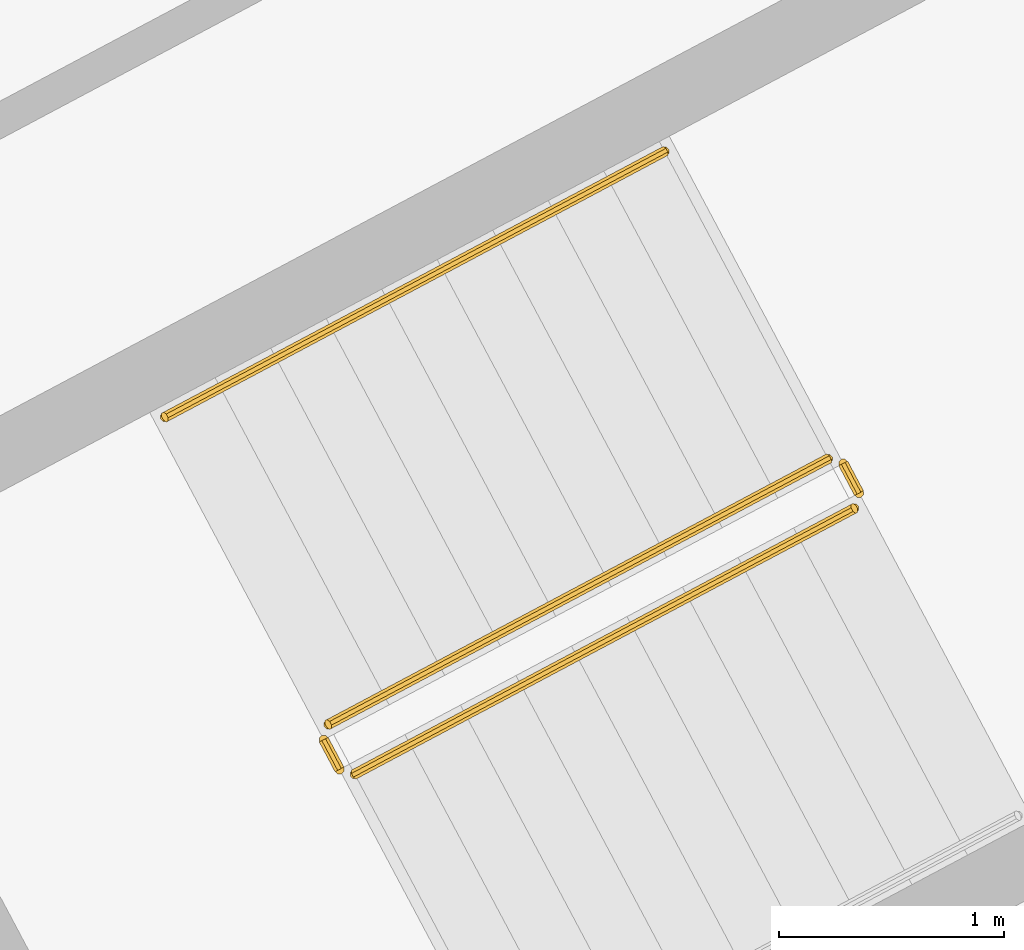
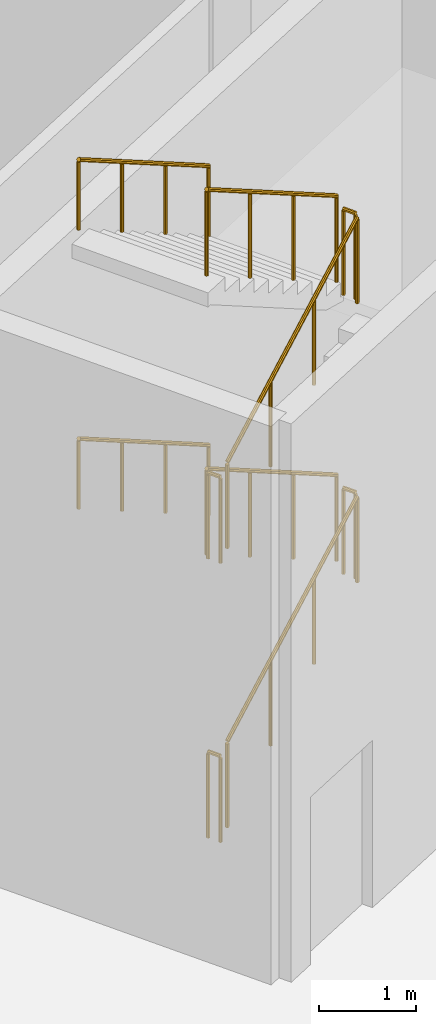
# One storey, part 55 of 57: 10 railings.
"""IFC4 building model written with IfcOpenShell, lengths in metres."""

from ifc_helpers import new_model, si_unit, direction, frame, origin, place, context, subcontext, project, spatial, polyline, outline, extrude, material, type_object, element, save


model = new_model("IFC4")

# Units and contexts
model_context = context("Model", 3, precision=1e-05, world=origin(), true_north=direction((0.0, 1.0)))
body_context = subcontext(model_context, "Body", "Model", "MODEL_VIEW")
ifc_project = project(units=[si_unit("LENGTHUNIT", "METRE"), si_unit("AREAUNIT", "SQUARE_METRE"), si_unit("VOLUMEUNIT", "CUBIC_METRE"), si_unit("PLANEANGLEUNIT", "RADIAN"), si_unit("MASSUNIT", "GRAM", prefix="KILO")], contexts=[model_context])

# Site, building, storey
site_placement = place(None, origin())
site = spatial("IfcSite", under=ifc_project, at=site_placement, CompositionType="ELEMENT")
building_placement = place(site_placement, origin())
building = spatial("IfcBuilding", under=site, at=building_placement, Name="Cormorant Relay Tower", CompositionType="ELEMENT")
storey_placement = place(building_placement, origin())
storey = spatial("IfcBuildingStorey", under=building, at=storey_placement, Name="L00", CompositionType="ELEMENT", Elevation=0.0)

# Railings
ifc_material_1 = material(Name="Steel ASTM A572 Grade 50 (Fy 345 MPa)", Category="steel")
railing_type_1 = type_object("IfcRailingType", Name="Stair guard 1100", PredefinedType="GUARDRAIL", material=ifc_material_1)
railing_1_placement = place(storey_placement, frame((44.583740234375, 32.186279296875, 0.175048828125)))
element("IfcRailing", 1, at=railing_1_placement, inside=storey, type_object=railing_type_1, Name="L00 RB1 stair guard 1", PredefinedType="GUARDRAIL", context=body_context, shape_type="SweptSolid", body=[
    extrude(outline(polyline([(0.022216796875, 0.00927734375), (0.00927734375, 0.022216796875), (-0.00927734375, 0.022216796875), (-0.022216796875, 0.00927734375), (-0.022216796875, -0.00927734375), (-0.00927734375, -0.022216796875), (0.00927734375, -0.022216796875), (0.022216796875, -0.00927734375), (0.022216796875, 0.00927734375)])), frame((0.0, 0.0, 1.076171875), z_axis=(0.74875116571, 0.398118076479, 0.529975177748), x_axis=(-0.4694715809, 0.882947583228, 0.0)), (0.0, 0.0, 1.0), 2.9716796875),
    extrude(outline(polyline([(0.019287109375, 0.008056640625), (0.008056640625, 0.019287109375), (-0.008056640625, 0.019287109375), (-0.019287109375, 0.008056640625), (-0.019287109375, -0.008056640625), (-0.008056640625, -0.019287109375), (0.008056640625, -0.019287109375), (0.019287109375, -0.008056640625), (0.019287109375, 0.008056640625)])), origin(), (0.0, 0.0, 1.0), 1.052001953125),
    extrude(outline(polyline([(0.019287109375, 0.008056640625), (0.008056640625, 0.019287109375), (-0.008056640625, 0.019287109375), (-0.019287109375, 0.008056640625), (-0.019287109375, -0.008056640625), (-0.008056640625, -0.019287109375), (0.008056640625, -0.019287109375), (0.019287109375, -0.008056640625), (0.019287109375, 0.008056640625)])), frame((0.74169921875, 0.394287109375, 0.52490234375)), (0.0, 0.0, 1.0), 1.052001953125),
    extrude(outline(polyline([(0.019287109375, 0.008056640625), (0.008056640625, 0.019287109375), (-0.008056640625, 0.019287109375), (-0.019287109375, 0.008056640625), (-0.019287109375, -0.008056640625), (-0.008056640625, -0.019287109375), (0.008056640625, -0.019287109375), (0.019287109375, -0.008056640625), (0.019287109375, 0.008056640625)])), frame((1.4833984375, 0.788818359375, 1.050048828125)), (0.0, 0.0, 1.0), 1.052001953125),
    extrude(outline(polyline([(0.019287109375, 0.008056640625), (0.008056640625, 0.019287109375), (-0.008056640625, 0.019287109375), (-0.019287109375, 0.008056640625), (-0.019287109375, -0.008056640625), (-0.008056640625, -0.019287109375), (0.008056640625, -0.019287109375), (0.019287109375, -0.008056640625), (0.019287109375, 0.008056640625)])), frame((2.22509765625, 1.18310546875, 1.574951171875)), (0.0, 0.0, 1.0), 1.052001953125),
])
railing_2_placement = place(storey_placement, frame((46.829345703125, 33.43701171875, 1.75)))
element("IfcRailing", 2, at=railing_2_placement, inside=storey, type_object=railing_type_1, Name="L00 RB1 stair guard 2", PredefinedType="GUARDRAIL", context=body_context, shape_type="SweptSolid", body=[
    extrude(outline(polyline([(0.022216796875, 0.00927734375), (0.00927734375, 0.022216796875), (-0.00927734375, 0.022216796875), (-0.022216796875, 0.00927734375), (-0.022216796875, -0.00927734375), (-0.00927734375, -0.022216796875), (0.00927734375, -0.022216796875), (0.022216796875, -0.00927734375), (0.022216796875, 0.00927734375)])), frame((0.0, 0.0, 1.076171875), z_axis=(-0.46856034887, 0.8834314911, 0.0), x_axis=(-0.8834314911, -0.46856034887, 0.0)), (0.0, 0.0, 1.0), 0.150146484375),
    extrude(outline(polyline([(0.019287109375, 0.008056640625), (0.008056640625, 0.019287109375), (-0.008056640625, 0.019287109375), (-0.019287109375, 0.008056640625), (-0.019287109375, -0.008056640625), (-0.008056640625, -0.019287109375), (0.008056640625, -0.019287109375), (0.019287109375, -0.008056640625), (0.019287109375, 0.008056640625)])), origin(), (0.0, 0.0, 1.0), 1.052001953125),
    extrude(outline(polyline([(0.019287109375, 0.008056640625), (0.008056640625, 0.019287109375), (-0.008056640625, 0.019287109375), (-0.019287109375, 0.008056640625), (-0.019287109375, -0.008056640625), (-0.008056640625, -0.019287109375), (0.008056640625, -0.019287109375), (0.019287109375, -0.008056640625), (0.019287109375, 0.008056640625)])), frame((-0.0703125, 0.132568359375, 0.0)), (0.0, 0.0, 1.0), 1.052001953125),
])
railing_3_placement = place(storey_placement, frame((46.69140625, 33.590087890625, 1.925048828125)))
element("IfcRailing", 3, at=railing_3_placement, inside=storey, type_object=railing_type_1, Name="L00 RB1 stair guard 3", PredefinedType="GUARDRAIL", context=body_context, shape_type="SweptSolid", body=[
    extrude(outline(polyline([(0.022216796875, 0.00927734375), (0.00927734375, 0.022216796875), (-0.00927734375, 0.022216796875), (-0.022216796875, 0.00927734375), (-0.022216796875, -0.00927734375), (-0.00927734375, -0.022216796875), (0.00927734375, -0.022216796875), (0.022216796875, -0.00927734375), (0.022216796875, 0.00927734375)])), frame((0.0, 0.0, 1.076171875), z_axis=(-0.74877565377, -0.398048940368, 0.529992510695), x_axis=(0.469396049876, -0.882987739643, 0.0)), (0.0, 0.0, 1.0), 2.9716796875),
    extrude(outline(polyline([(0.019287109375, 0.008056640625), (0.008056640625, 0.019287109375), (-0.008056640625, 0.019287109375), (-0.019287109375, 0.008056640625), (-0.019287109375, -0.008056640625), (-0.008056640625, -0.019287109375), (0.008056640625, -0.019287109375), (0.019287109375, -0.008056640625), (0.019287109375, 0.008056640625)])), origin(), (0.0, 0.0, 1.0), 1.052001953125),
    extrude(outline(polyline([(0.019287109375, 0.008056640625), (0.008056640625, 0.019287109375), (-0.008056640625, 0.019287109375), (-0.019287109375, 0.008056640625), (-0.019287109375, -0.008056640625), (-0.008056640625, -0.019287109375), (0.008056640625, -0.019287109375), (0.019287109375, -0.008056640625), (0.019287109375, 0.008056640625)])), frame((-0.74169921875, -0.394287109375, 0.52490234375)), (0.0, 0.0, 1.0), 1.052001953125),
    extrude(outline(polyline([(0.019287109375, 0.008056640625), (0.008056640625, 0.019287109375), (-0.008056640625, 0.019287109375), (-0.019287109375, 0.008056640625), (-0.019287109375, -0.008056640625), (-0.008056640625, -0.019287109375), (0.008056640625, -0.019287109375), (0.019287109375, -0.008056640625), (0.019287109375, 0.008056640625)])), frame((-1.4833984375, -0.78857421875, 1.050048828125)), (0.0, 0.0, 1.0), 1.052001953125),
    extrude(outline(polyline([(0.019287109375, 0.008056640625), (0.008056640625, 0.019287109375), (-0.008056640625, 0.019287109375), (-0.019287109375, 0.008056640625), (-0.019287109375, -0.008056640625), (-0.008056640625, -0.019287109375), (0.008056640625, -0.019287109375), (0.019287109375, -0.008056640625), (0.019287109375, 0.008056640625)])), frame((-2.22509765625, -1.182861328125, 1.574951171875)), (0.0, 0.0, 1.0), 1.052001953125),
])
railing_4_placement = place(storey_placement, frame((44.51611328125, 32.20703125, 3.5)))
element("IfcRailing", 4, at=railing_4_placement, inside=storey, type_object=railing_type_1, Name="L00 RB1 stair guard 4", PredefinedType="GUARDRAIL", context=body_context, shape_type="SweptSolid", body=[
    extrude(outline(polyline([(0.022216796875, 0.00927734375), (0.00927734375, 0.022216796875), (-0.00927734375, 0.022216796875), (-0.022216796875, 0.00927734375), (-0.022216796875, -0.00927734375), (-0.00927734375, -0.022216796875), (0.00927734375, -0.022216796875), (0.022216796875, -0.00927734375), (0.022216796875, 0.00927734375)])), frame((0.0, 0.0, 1.076171875), z_axis=(-0.46856034887, 0.8834314911, 0.0), x_axis=(-0.8834314911, -0.46856034887, 0.0)), (0.0, 0.0, 1.0), 0.150146484375),
    extrude(outline(polyline([(0.019287109375, 0.008056640625), (0.008056640625, 0.019287109375), (-0.008056640625, 0.019287109375), (-0.019287109375, 0.008056640625), (-0.019287109375, -0.008056640625), (-0.008056640625, -0.019287109375), (0.008056640625, -0.019287109375), (0.019287109375, -0.008056640625), (0.019287109375, 0.008056640625)])), origin(), (0.0, 0.0, 1.0), 1.052001953125),
    extrude(outline(polyline([(0.019287109375, 0.008056640625), (0.008056640625, 0.019287109375), (-0.008056640625, 0.019287109375), (-0.019287109375, 0.008056640625), (-0.019287109375, -0.008056640625), (-0.008056640625, -0.019287109375), (0.008056640625, -0.019287109375), (0.019287109375, -0.008056640625), (0.019287109375, 0.008056640625)])), frame((-0.0703125, 0.132568359375, 0.0)), (0.0, 0.0, 1.0), 1.052001953125),
])
railing_5_placement = place(storey_placement, frame((44.583740234375, 32.186279296875, 3.675048828125)))
element("IfcRailing", 5, at=railing_5_placement, inside=storey, type_object=railing_type_1, Name="L00 RB1 stair guard 5", PredefinedType="GUARDRAIL", context=body_context, shape_type="SweptSolid", body=[
    extrude(outline(polyline([(0.022216796875, 0.00927734375), (0.00927734375, 0.022216796875), (-0.00927734375, 0.022216796875), (-0.022216796875, 0.00927734375), (-0.022216796875, -0.00927734375), (-0.00927734375, -0.022216796875), (0.00927734375, -0.022216796875), (0.022216796875, -0.00927734375), (0.022216796875, 0.00927734375)])), frame((0.0, 0.0, 1.076171875), z_axis=(0.74875116571, 0.398118076479, 0.529975177748), x_axis=(-0.4694715809, 0.882947583228, 0.0)), (0.0, 0.0, 1.0), 2.9716796875),
    extrude(outline(polyline([(0.019287109375, 0.008056640625), (0.008056640625, 0.019287109375), (-0.008056640625, 0.019287109375), (-0.019287109375, 0.008056640625), (-0.019287109375, -0.008056640625), (-0.008056640625, -0.019287109375), (0.008056640625, -0.019287109375), (0.019287109375, -0.008056640625), (0.019287109375, 0.008056640625)])), origin(), (0.0, 0.0, 1.0), 1.052001953125),
    extrude(outline(polyline([(0.019287109375, 0.008056640625), (0.008056640625, 0.019287109375), (-0.008056640625, 0.019287109375), (-0.019287109375, 0.008056640625), (-0.019287109375, -0.008056640625), (-0.008056640625, -0.019287109375), (0.008056640625, -0.019287109375), (0.019287109375, -0.008056640625), (0.019287109375, 0.008056640625)])), frame((0.74169921875, 0.394287109375, 0.52490234375)), (0.0, 0.0, 1.0), 1.052001953125),
    extrude(outline(polyline([(0.019287109375, 0.008056640625), (0.008056640625, 0.019287109375), (-0.008056640625, 0.019287109375), (-0.019287109375, 0.008056640625), (-0.019287109375, -0.008056640625), (-0.008056640625, -0.019287109375), (0.008056640625, -0.019287109375), (0.019287109375, -0.008056640625), (0.019287109375, 0.008056640625)])), frame((1.4833984375, 0.788818359375, 1.050048828125)), (0.0, 0.0, 1.0), 1.052001953125),
    extrude(outline(polyline([(0.019287109375, 0.008056640625), (0.008056640625, 0.019287109375), (-0.008056640625, 0.019287109375), (-0.019287109375, 0.008056640625), (-0.019287109375, -0.008056640625), (-0.008056640625, -0.019287109375), (0.008056640625, -0.019287109375), (0.019287109375, -0.008056640625), (0.019287109375, 0.008056640625)])), frame((2.22509765625, 1.18310546875, 1.574951171875)), (0.0, 0.0, 1.0), 1.052001953125),
])
railing_6_placement = place(storey_placement, frame((46.829345703125, 33.43701171875, 5.25)))
element("IfcRailing", 6, at=railing_6_placement, inside=storey, type_object=railing_type_1, Name="L00 RB1 stair guard 6", PredefinedType="GUARDRAIL", context=body_context, shape_type="SweptSolid", body=[
    extrude(outline(polyline([(0.022216796875, 0.00927734375), (0.00927734375, 0.022216796875), (-0.00927734375, 0.022216796875), (-0.022216796875, 0.00927734375), (-0.022216796875, -0.00927734375), (-0.00927734375, -0.022216796875), (0.00927734375, -0.022216796875), (0.022216796875, -0.00927734375), (0.022216796875, 0.00927734375)])), frame((0.0, 0.0, 1.076171875), z_axis=(-0.46856034887, 0.8834314911, 0.0), x_axis=(-0.8834314911, -0.46856034887, 0.0)), (0.0, 0.0, 1.0), 0.150146484375),
    extrude(outline(polyline([(0.019287109375, 0.008056640625), (0.008056640625, 0.019287109375), (-0.008056640625, 0.019287109375), (-0.019287109375, 0.008056640625), (-0.019287109375, -0.008056640625), (-0.008056640625, -0.019287109375), (0.008056640625, -0.019287109375), (0.019287109375, -0.008056640625), (0.019287109375, 0.008056640625)])), origin(), (0.0, 0.0, 1.0), 1.052001953125),
    extrude(outline(polyline([(0.019287109375, 0.008056640625), (0.008056640625, 0.019287109375), (-0.008056640625, 0.019287109375), (-0.019287109375, 0.008056640625), (-0.019287109375, -0.008056640625), (-0.008056640625, -0.019287109375), (0.008056640625, -0.019287109375), (0.019287109375, -0.008056640625), (0.019287109375, 0.008056640625)])), frame((-0.0703125, 0.132568359375, 0.0)), (0.0, 0.0, 1.0), 1.052001953125),
])
railing_7_placement = place(storey_placement, frame((46.69140625, 33.590087890625, 5.425048828125)))
element("IfcRailing", 7, at=railing_7_placement, inside=storey, type_object=railing_type_1, Name="L00 RB1 stair guard 7", PredefinedType="GUARDRAIL", context=body_context, shape_type="SweptSolid", body=[
    extrude(outline(polyline([(0.022216796875, 0.00927734375), (0.00927734375, 0.022216796875), (-0.00927734375, 0.022216796875), (-0.022216796875, 0.00927734375), (-0.022216796875, -0.00927734375), (-0.00927734375, -0.022216796875), (0.00927734375, -0.022216796875), (0.022216796875, -0.00927734375), (0.022216796875, 0.00927734375)])), frame((0.0, 0.0, 1.076171875), z_axis=(-0.74877565377, -0.398048940368, 0.529992510695), x_axis=(0.469396049876, -0.882987739643, 0.0)), (0.0, 0.0, 1.0), 2.9716796875),
    extrude(outline(polyline([(0.019287109375, 0.008056640625), (0.008056640625, 0.019287109375), (-0.008056640625, 0.019287109375), (-0.019287109375, 0.008056640625), (-0.019287109375, -0.008056640625), (-0.008056640625, -0.019287109375), (0.008056640625, -0.019287109375), (0.019287109375, -0.008056640625), (0.019287109375, 0.008056640625)])), origin(), (0.0, 0.0, 1.0), 1.052001953125),
    extrude(outline(polyline([(0.019287109375, 0.008056640625), (0.008056640625, 0.019287109375), (-0.008056640625, 0.019287109375), (-0.019287109375, 0.008056640625), (-0.019287109375, -0.008056640625), (-0.008056640625, -0.019287109375), (0.008056640625, -0.019287109375), (0.019287109375, -0.008056640625), (0.019287109375, 0.008056640625)])), frame((-0.74169921875, -0.394287109375, 0.52490234375)), (0.0, 0.0, 1.0), 1.052001953125),
    extrude(outline(polyline([(0.019287109375, 0.008056640625), (0.008056640625, 0.019287109375), (-0.008056640625, 0.019287109375), (-0.019287109375, 0.008056640625), (-0.019287109375, -0.008056640625), (-0.008056640625, -0.019287109375), (0.008056640625, -0.019287109375), (0.019287109375, -0.008056640625), (0.019287109375, 0.008056640625)])), frame((-1.4833984375, -0.78857421875, 1.050048828125)), (0.0, 0.0, 1.0), 1.052001953125),
    extrude(outline(polyline([(0.019287109375, 0.008056640625), (0.008056640625, 0.019287109375), (-0.008056640625, 0.019287109375), (-0.019287109375, 0.008056640625), (-0.019287109375, -0.008056640625), (-0.008056640625, -0.019287109375), (0.008056640625, -0.019287109375), (0.019287109375, -0.008056640625), (0.019287109375, 0.008056640625)])), frame((-2.22509765625, -1.182861328125, 1.574951171875)), (0.0, 0.0, 1.0), 1.052001953125),
])
railing_8_placement = place(storey_placement, frame((44.51611328125, 32.20703125, 0.0)))
element("IfcRailing", 8, at=railing_8_placement, inside=storey, type_object=railing_type_1, Name="L00 RB1 stair guard 8", PredefinedType="GUARDRAIL", context=body_context, shape_type="SweptSolid", body=[
    extrude(outline(polyline([(0.022216796875, 0.00927734375), (0.00927734375, 0.022216796875), (-0.00927734375, 0.022216796875), (-0.022216796875, 0.00927734375), (-0.022216796875, -0.00927734375), (-0.00927734375, -0.022216796875), (0.00927734375, -0.022216796875), (0.022216796875, -0.00927734375), (0.022216796875, 0.00927734375)])), frame((0.0, 0.0, 1.076171875), z_axis=(-0.46856034887, 0.8834314911, 0.0), x_axis=(-0.8834314911, -0.46856034887, 0.0)), (0.0, 0.0, 1.0), 0.150146484375),
    extrude(outline(polyline([(0.019287109375, 0.008056640625), (0.008056640625, 0.019287109375), (-0.008056640625, 0.019287109375), (-0.019287109375, 0.008056640625), (-0.019287109375, -0.008056640625), (-0.008056640625, -0.019287109375), (0.008056640625, -0.019287109375), (0.019287109375, -0.008056640625), (0.019287109375, 0.008056640625)])), origin(), (0.0, 0.0, 1.0), 1.052001953125),
    extrude(outline(polyline([(0.019287109375, 0.008056640625), (0.008056640625, 0.019287109375), (-0.008056640625, 0.019287109375), (-0.019287109375, 0.008056640625), (-0.019287109375, -0.008056640625), (-0.008056640625, -0.019287109375), (0.008056640625, -0.019287109375), (0.019287109375, -0.008056640625), (0.019287109375, 0.008056640625)])), frame((-0.0703125, 0.132568359375, 0.0)), (0.0, 0.0, 1.0), 1.052001953125),
])
ifc_material_2 = material(Name="Steel ASTM A572 Grade 50 (Fy 345 MPa)", Category="steel")
railing_type_2 = type_object("IfcRailingType", Name="Stair handrail 900", PredefinedType="HANDRAIL", material=ifc_material_2)
railing_9_placement = place(storey_placement, frame((45.963623046875, 34.958740234375, 1.925048828125)))
element("IfcRailing", 9, at=railing_9_placement, inside=storey, type_object=railing_type_2, Name="L00 RB1 stair handrail 2", PredefinedType="HANDRAIL", context=body_context, shape_type="SweptSolid", body=[
    extrude(outline(polyline([(0.022216796875, 0.00927734375), (0.00927734375, 0.022216796875), (-0.00927734375, 0.022216796875), (-0.022216796875, 0.00927734375), (-0.022216796875, -0.00927734375), (-0.00927734375, -0.022216796875), (0.00927734375, -0.022216796875), (0.022216796875, -0.00927734375), (0.022216796875, 0.00927734375)])), frame((0.0, 0.0, 0.8759765625), z_axis=(-0.748715066256, -0.398142566781, 0.530007779262), x_axis=(0.469511741669, -0.882926228195, 0.0)), (0.0, 0.0, 1.0), 2.9716796875),
    extrude(outline(polyline([(0.019287109375, 0.008056640625), (0.008056640625, 0.019287109375), (-0.008056640625, 0.019287109375), (-0.019287109375, 0.008056640625), (-0.019287109375, -0.008056640625), (-0.008056640625, -0.019287109375), (0.008056640625, -0.019287109375), (0.019287109375, -0.008056640625), (0.019287109375, 0.008056640625)])), origin(), (0.0, 0.0, 1.0), 0.851806640625),
    extrude(outline(polyline([(0.019287109375, 0.008056640625), (0.008056640625, 0.019287109375), (-0.008056640625, 0.019287109375), (-0.019287109375, 0.008056640625), (-0.019287109375, -0.008056640625), (-0.008056640625, -0.019287109375), (0.008056640625, -0.019287109375), (0.019287109375, -0.008056640625), (0.019287109375, 0.008056640625)])), frame((-0.74169921875, -0.394287109375, 0.52490234375)), (0.0, 0.0, 1.0), 0.851806640625),
    extrude(outline(polyline([(0.019287109375, 0.008056640625), (0.008056640625, 0.019287109375), (-0.008056640625, 0.019287109375), (-0.019287109375, 0.008056640625), (-0.019287109375, -0.008056640625), (-0.008056640625, -0.019287109375), (0.008056640625, -0.019287109375), (0.019287109375, -0.008056640625), (0.019287109375, 0.008056640625)])), frame((-1.483154296875, -0.788818359375, 1.050048828125)), (0.0, 0.0, 1.0), 0.851806640625),
    extrude(outline(polyline([(0.019287109375, 0.008056640625), (0.008056640625, 0.019287109375), (-0.008056640625, 0.019287109375), (-0.019287109375, 0.008056640625), (-0.019287109375, -0.008056640625), (-0.008056640625, -0.019287109375), (0.008056640625, -0.019287109375), (0.019287109375, -0.008056640625), (0.019287109375, 0.008056640625)])), frame((-2.224853515625, -1.18310546875, 1.574951171875)), (0.0, 0.0, 1.0), 0.851806640625),
])
railing_10_placement = place(storey_placement, frame((45.963623046875, 34.958740234375, 5.425048828125)))
element("IfcRailing", 10, at=railing_10_placement, inside=storey, type_object=railing_type_2, Name="L00 RB1 stair handrail 4", PredefinedType="HANDRAIL", context=body_context, shape_type="SweptSolid", body=[
    extrude(outline(polyline([(0.022216796875, 0.00927734375), (0.00927734375, 0.022216796875), (-0.00927734375, 0.022216796875), (-0.022216796875, 0.00927734375), (-0.022216796875, -0.00927734375), (-0.00927734375, -0.022216796875), (0.00927734375, -0.022216796875), (0.022216796875, -0.00927734375), (0.022216796875, 0.00927734375)])), frame((0.0, 0.0, 0.8759765625), z_axis=(-0.748715066256, -0.398142566781, 0.530007779262), x_axis=(0.469511741669, -0.882926228195, 0.0)), (0.0, 0.0, 1.0), 2.9716796875),
    extrude(outline(polyline([(0.019287109375, 0.008056640625), (0.008056640625, 0.019287109375), (-0.008056640625, 0.019287109375), (-0.019287109375, 0.008056640625), (-0.019287109375, -0.008056640625), (-0.008056640625, -0.019287109375), (0.008056640625, -0.019287109375), (0.019287109375, -0.008056640625), (0.019287109375, 0.008056640625)])), origin(), (0.0, 0.0, 1.0), 0.851806640625),
    extrude(outline(polyline([(0.019287109375, 0.008056640625), (0.008056640625, 0.019287109375), (-0.008056640625, 0.019287109375), (-0.019287109375, 0.008056640625), (-0.019287109375, -0.008056640625), (-0.008056640625, -0.019287109375), (0.008056640625, -0.019287109375), (0.019287109375, -0.008056640625), (0.019287109375, 0.008056640625)])), frame((-0.74169921875, -0.394287109375, 0.52490234375)), (0.0, 0.0, 1.0), 0.851806640625),
    extrude(outline(polyline([(0.019287109375, 0.008056640625), (0.008056640625, 0.019287109375), (-0.008056640625, 0.019287109375), (-0.019287109375, 0.008056640625), (-0.019287109375, -0.008056640625), (-0.008056640625, -0.019287109375), (0.008056640625, -0.019287109375), (0.019287109375, -0.008056640625), (0.019287109375, 0.008056640625)])), frame((-1.483154296875, -0.788818359375, 1.050048828125)), (0.0, 0.0, 1.0), 0.851806640625),
    extrude(outline(polyline([(0.019287109375, 0.008056640625), (0.008056640625, 0.019287109375), (-0.008056640625, 0.019287109375), (-0.019287109375, 0.008056640625), (-0.019287109375, -0.008056640625), (-0.008056640625, -0.019287109375), (0.008056640625, -0.019287109375), (0.019287109375, -0.008056640625), (0.019287109375, 0.008056640625)])), frame((-2.224853515625, -1.18310546875, 1.574951171875)), (0.0, 0.0, 1.0), 0.851806640625),
])

save(model, "model.ifc")
